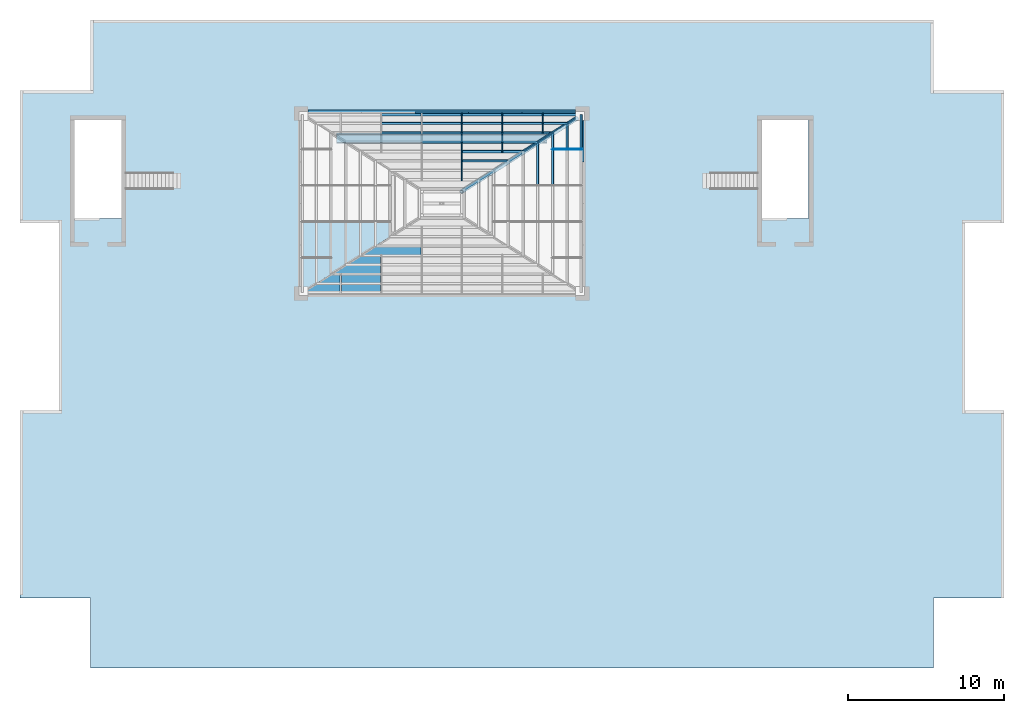
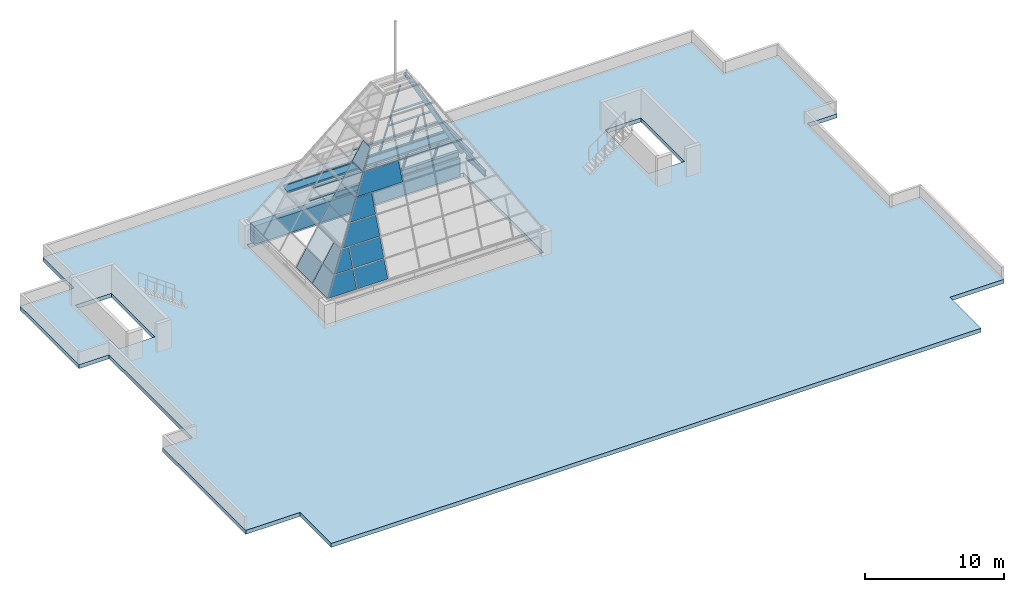
# One storey, part 4 of 8: 31 members, 15 plates, 5 beams, 1 slab, 4 elements without a shape of their own.
"""IFC4 building model written with IfcOpenShell, lengths in metres."""

import ifcopenshell
import ifcopenshell.guid

model = None  # the IFC model being written
_history = None  # IfcOwnerHistory: only IFC2X3 demands one
_inside = {}  # id of a spatial element -> (the spatial element, [elements in it])
_under = {}  # id of a project, library or spatial element -> (it, [spatial elements below it])
_declared = {}  # id of a project -> (the project, [libraries it declares])
_typed = {}  # id of a type object -> (the type object, [elements of that type])
_made_of = {}  # id of a material, layer set ... -> (it, [elements and type objects made of it])


def new_model(schema):
    """Start an empty IFC model of exactly this schema.

    Asked for "IFC4X3", IfcOpenShell would pick the latest addendum, in which some entities
    have other attributes; the version numbers below select the first issue.
    IFC2X3 requires an IfcOwnerHistory on every rooted entity: one is made here for all.
    """
    global model, _history
    if schema == "IFC4X3":
        model = ifcopenshell.file(schema_version=(4, 3, 0, 0))
    else:
        model = ifcopenshell.file(schema=schema)
    _inside.clear()
    _under.clear()
    _declared.clear()
    _typed.clear()
    _made_of.clear()
    _history = None
    if model.schema == "IFC2X3":
        org = make("IfcOrganization", Name="unknown")
        user = make(
            "IfcPersonAndOrganization",
            ThePerson=make("IfcPerson", FamilyName="unknown"),
            TheOrganization=org,
        )
        app = make(
            "IfcApplication",
            ApplicationDeveloper=org,
            Version="unknown",
            ApplicationFullName="unknown",
            ApplicationIdentifier="unknown",
        )
        _history = make(
            "IfcOwnerHistory",
            OwningUser=user,
            OwningApplication=app,
            ChangeAction="ADDED",
            CreationDate=0,
        )
    return model


def make(cls, **values):
    """One entity of the class cls with the attributes given. An attribute that is None is left unset."""
    return model.create_entity(
        cls, **{name: value for name, value in values.items() if value is not None}
    )


def rooted(cls, **values):
    """An entity with a GlobalId (a new one), such as an element, a storey or a relation."""
    return make(cls, GlobalId=ifcopenshell.guid.new(), OwnerHistory=_history, **values)


def si_unit(unit_type, name, prefix=None):
    """IfcSIUnit, for example si_unit("LENGTHUNIT", "METRE", prefix="MILLI")."""
    return make("IfcSIUnit", UnitType=unit_type, Prefix=prefix, Name=name)


def assignment(units):
    """IfcUnitAssignment: the units of a project."""
    return None if units is None else make("IfcUnitAssignment", Units=units)


def point(xyz):
    """IfcCartesianPoint."""
    return None if xyz is None else make("IfcCartesianPoint", Coordinates=xyz)


def direction(xyz):
    """IfcDirection."""
    return None if xyz is None else make("IfcDirection", DirectionRatios=xyz)


def frame(location, z_axis=None, x_axis=None):
    """IfcAxis2Placement3D, a coordinate frame: its origin and axes. An axis left out is left unset."""
    return make(
        "IfcAxis2Placement3D",
        Location=point(location),
        Axis=direction(z_axis),
        RefDirection=direction(x_axis),
    )


def frame_2d(location, x_axis=None):
    """IfcAxis2Placement2D, a coordinate frame in the plane: its origin and x axis."""
    return make(
        "IfcAxis2Placement2D", Location=point(location), RefDirection=direction(x_axis)
    )


def origin():
    """The frame at (0, 0, 0) with its axes left unset."""
    return frame((0.0, 0.0, 0.0))


def origin_2d():
    """The frame at (0, 0) in the plane with its x axis left unset."""
    return frame_2d((0.0, 0.0))


def place(relative_to, where):
    """IfcLocalPlacement: puts the frame where relative to a parent placement (None: the world)."""
    return make(
        "IfcLocalPlacement", PlacementRelTo=relative_to, RelativePlacement=where
    )


def context(
    kind, dimensions, precision=None, world=None, true_north=None, identifier=None
):
    """IfcGeometricRepresentationContext, for example the 3D "Model" context."""
    return make(
        "IfcGeometricRepresentationContext",
        ContextIdentifier=identifier,
        ContextType=kind,
        CoordinateSpaceDimension=dimensions,
        Precision=precision,
        WorldCoordinateSystem=world,
        TrueNorth=true_north,
    )


def subcontext(parent, identifier, kind, view, scale=None):
    """IfcGeometricRepresentationSubContext, for example "Body" below "Model"."""
    return make(
        "IfcGeometricRepresentationSubContext",
        ContextIdentifier=identifier,
        ContextType=kind,
        ParentContext=parent,
        TargetScale=scale,
        TargetView=view,
    )


def project(units=None, contexts=None):
    """IfcProject with its units and contexts."""
    return rooted(
        "IfcProject",
        Name="project",
        RepresentationContexts=contexts,
        UnitsInContext=assignment(units),
    )


def spatial(cls, under=None, at=None, **own):
    """A site, building, storey or space (cls), placed at a placement, below another one or the project."""
    s = rooted(cls, ObjectPlacement=at, **own)
    if under is not None:
        _under.setdefault(under.id(), (under, []))[1].append(s)
    return s


def polyline(points):
    """IfcPolyline through the points."""
    return make("IfcPolyline", Points=[point(p) for p in points])


def profile(cls, at=None, kind="AREA", **sizes):
    """A parametric profile (cls). Its sizes go by their IFC names, for example OverallWidth=200.0."""
    return make(cls, ProfileType=kind, Position=at, **sizes)


def rectangle(**sizes):
    """IfcRectangleProfileDef."""
    return profile("IfcRectangleProfileDef", **sizes)


def hollow_circle(**sizes):
    """IfcCircleHollowProfileDef."""
    return profile("IfcCircleHollowProfileDef", **sizes)


def i_section(**sizes):
    """IfcIShapeProfileDef."""
    return profile("IfcIShapeProfileDef", **sizes)


def outline(outer, holes=None, kind="AREA"):
    """IfcArbitraryClosedProfileDef: a profile drawn as a closed curve; with holes, ...WithVoids."""
    if holes is None:
        return make("IfcArbitraryClosedProfileDef", ProfileType=kind, OuterCurve=outer)
    return make(
        "IfcArbitraryProfileDefWithVoids",
        ProfileType=kind,
        OuterCurve=outer,
        InnerCurves=holes,
    )


def extrude(swept, where, along, depth):
    """IfcExtrudedAreaSolid: the profile swept, set in the frame where, extruded along a direction by depth."""
    return make(
        "IfcExtrudedAreaSolid",
        SweptArea=swept,
        Position=where,
        ExtrudedDirection=direction(along),
        Depth=depth,
    )


def shape(context_of_items, identifier, shape_type, items):
    """IfcShapeRepresentation: the items that make up one representation, for example the "Body"."""
    return make(
        "IfcShapeRepresentation",
        ContextOfItems=context_of_items,
        RepresentationIdentifier=identifier,
        RepresentationType=shape_type,
        Items=items,
    )


def material(Name=None, Category=None):
    """IfcMaterial."""
    return make("IfcMaterial", Name=Name, Category=Category)


def layer(
    of_material, thickness, ventilated=None, Name=None, Category=None, Priority=None
):
    """IfcMaterialLayer: one layer of a wall or slab, of a material (None: an air gap)."""
    return make(
        "IfcMaterialLayer",
        Material=of_material,
        LayerThickness=thickness,
        IsVentilated=ventilated,
        Name=Name,
        Category=Category,
        Priority=Priority,
    )


def layer_set(layers, Name=None):
    """IfcMaterialLayerSet."""
    return make("IfcMaterialLayerSet", MaterialLayers=layers, LayerSetName=Name)


def material_profile(
    of_material, cross_section, Name=None, Category=None, Priority=None
):
    """IfcMaterialProfile: a cross section and its material."""
    return make(
        "IfcMaterialProfile",
        Name=Name,
        Material=of_material,
        Profile=cross_section,
        Priority=Priority,
        Category=Category,
    )


def profile_set(profiles, Name=None, composite=None):
    """IfcMaterialProfileSet."""
    return make(
        "IfcMaterialProfileSet",
        Name=Name,
        MaterialProfiles=profiles,
        CompositeProfile=composite,
    )


def made_of(thing, what):
    """Note that an element or type object is made of a material, layer set ...; save() writes the relation."""
    if what is not None:
        _made_of.setdefault(what.id(), (what, []))[1].append(thing)
    return thing


def type_object(cls, material=None, **own):
    """A type object (cls), such as IfcWallType, which elements share."""
    return made_of(rooted(cls, **own), material)


def element(
    cls,
    number,
    at=None,
    inside=None,
    cuts=None,
    type_object=None,
    material=None,
    context=None,
    identifier="Body",
    shape_type=None,
    held_by="IfcProductDefinitionShape",
    body=None,
    shapes=None,
    **own,
):
    """One element of the class cls, such as IfcWall. Its Tag is "e" and its number.

    at: its placement. inside: the storey or other place that contains it. cuts: it is an
    opening in that element (IfcRelVoidsElement). A single representation is given by context,
    identifier, shape_type and body (its items); several are given by shapes. held_by: the class
    of the entity that holds the representations. save() writes the other relations.
    """
    e = rooted(cls, Tag="e%d" % number, ObjectPlacement=at, **own)
    if body is not None:
        shapes = [shape(context, identifier, shape_type, body)]
    if shapes is not None:
        e.Representation = make(held_by, Representations=shapes)
    if inside is not None:
        _inside.setdefault(inside.id(), (inside, []))[1].append(e)
    if cuts is not None:
        rooted(
            "IfcRelVoidsElement", RelatingBuildingElement=cuts, RelatedOpeningElement=e
        )
    if type_object is not None:
        _typed.setdefault(type_object.id(), (type_object, []))[1].append(e)
    return made_of(e, material)


def aggregate(whole, parts):
    """IfcRelAggregates: a whole, such as a stair, and the parts it consists of."""
    return rooted("IfcRelAggregates", RelatingObject=whole, RelatedObjects=parts)


def save(model, path):
    """Write the relations noted so far, then the file.

    IfcRelAggregates (storeys below a building ...), IfcRelContainedInSpatialStructure (elements
    in a storey), IfcRelDefinesByType, IfcRelAssociatesMaterial and IfcRelDeclares: one each for
    every whole, place, type object, material and project.
    """
    for whole, parts in _under.values():
        aggregate(whole, parts)
    for where, things in _inside.values():
        rooted(
            "IfcRelContainedInSpatialStructure",
            RelatedElements=things,
            RelatingStructure=where,
        )
    for kind, things in _typed.values():
        rooted("IfcRelDefinesByType", RelatedObjects=things, RelatingType=kind)
    for what, things in _made_of.values():
        rooted("IfcRelAssociatesMaterial", RelatedObjects=things, RelatingMaterial=what)
    for by, libraries in _declared.values():
        rooted("IfcRelDeclares", RelatingContext=by, RelatedDefinitions=libraries)
    model.write(path)


model = new_model("IFC4")

# Units and contexts
model_context = context("Model", 3, precision=1e-05, world=origin(), true_north=direction((0.0, 1.0)))
body_context = subcontext(model_context, "Body", "Model", "MODEL_VIEW")
ifc_project = project(units=[si_unit("LENGTHUNIT", "METRE"), si_unit("AREAUNIT", "SQUARE_METRE"), si_unit("VOLUMEUNIT", "CUBIC_METRE"), si_unit("PLANEANGLEUNIT", "RADIAN"), si_unit("MASSUNIT", "GRAM", prefix="KILO")], contexts=[model_context])

# Site, building, storey
site_placement = place(None, origin())
site = spatial("IfcSite", under=ifc_project, at=site_placement, CompositionType="ELEMENT")
building_placement = place(site_placement, origin())
building = spatial("IfcBuilding", under=site, at=building_placement, Name="Brigalow Station Residences", CompositionType="ELEMENT")
storey_placement = place(building_placement, frame((0.0, 0.0, 244.199951171875)))
storey = spatial("IfcBuildingStorey", under=building, at=storey_placement, Name="Roof", CompositionType="ELEMENT", Elevation=244.199951171875)

# Members
ifc_material_1 = material(Name="Steel Grade C350L0 to AS/NZS 1163", Category="steel")
ifc_material_profile_1 = material_profile(ifc_material_1, hollow_circle(Radius=0.136474609375, WallThickness=0.00927734375, at=origin_2d()), Name="273.1x9.3CHS")
ifc_profile_set_1 = profile_set([ifc_material_profile_1], Name="Steel Grade C350L0 to AS/NZS 1163")
member_type_1 = type_object("IfcMemberType", Name="CROWN FRAME HIP RIB 273.1x9.3CHS", PredefinedType="RAFTER", material=ifc_profile_set_1)
member_1_placement = place(storey_placement, frame((44.649658203125, 35.201416015625, 2.169677734375), z_axis=(-0.490116390262, -0.311610602771, 0.814054516748), x_axis=(0.670788330844, -0.731216181017, 0.123959315187)))
element("IfcMember", 1, at=member_1_placement, inside=storey, type_object=member_type_1, Name="CROWN FRAME HIP RIB NE", PredefinedType="RAFTER", context=body_context, shape_type="SweptSolid", body=[
    extrude(hollow_circle(Radius=0.136474609375, WallThickness=0.00927734375, at=origin_2d()), origin(), (0.0, 0.0, 1.0), 15.051513671875),
])
ifc_material_2 = material(Name="Steel Grade 300 to AS/NZS 3679.1", Category="steel")
ifc_material_profile_2 = material_profile(ifc_material_2, i_section(OverallWidth=0.22900390625, OverallDepth=0.611572265625, WebThickness=0.011962890625, FlangeThickness=0.01953125, FilletRadius=0.013916015625, at=origin_2d()), Name="610UB125")
ifc_profile_set_2 = profile_set([ifc_material_profile_2], Name="Steel Grade 300 to AS/NZS 3679.1")
member_type_2 = type_object("IfcMemberType", Name="CROWN FRAME HOOP 610UB125 SPAN TO 14 M", PredefinedType="PURLIN", material=ifc_profile_set_2)
member_2_placement = place(storey_placement, frame((42.73486328125, 33.92431640625, 5.032470703125), z_axis=(-1.0, 0.0, 0.0), x_axis=(0.0, -0.357491171676, 0.933916517775)))
element("IfcMember", 2, at=member_2_placement, inside=storey, type_object=member_type_2, Name="CROWN FRAME HOOP N2", PredefinedType="PURLIN", context=body_context, shape_type="SweptSolid", body=[
    extrude(i_section(OverallWidth=0.22900390625, OverallDepth=0.611572265625, WebThickness=0.011962890625, FlangeThickness=0.01953125, FilletRadius=0.013916015625, at=origin_2d()), origin(), (0.0, 0.0, 1.0), 13.4697265625),
])

# Beams
ifc_material_3 = material(Name="Steel Grade 300 to AS/NZS 3679.1", Category="steel")
ifc_material_profile_3 = material_profile(ifc_material_3, i_section(OverallWidth=0.19091796875, OverallDepth=0.46044921875, WebThickness=0.010009765625, FlangeThickness=0.01611328125, FilletRadius=0.011474609375, at=origin_2d()), Name="460UB82.1")
ifc_profile_set_3 = profile_set([ifc_material_profile_3], Name="Steel Grade 300 to AS/NZS 3679.1")
beam_type_1 = type_object("IfcBeamType", Name="CROWN FRAME RING BEAM 460UB82.1", PredefinedType="BEAM", material=ifc_profile_set_3)
beam_1_placement = place(storey_placement, frame((44.550048828125, 35.5, 1.830322265625), z_axis=(-1.0, 0.0, 0.0), x_axis=(0.0, -1.0, 0.0)))
element("IfcBeam", 3, at=beam_1_placement, inside=storey, type_object=beam_type_1, Name="CROWN FRAME RING BEAM N1", PredefinedType="BEAM", context=body_context, shape_type="SweptSolid", body=[
    extrude(i_section(OverallWidth=0.19091796875, OverallDepth=0.46044921875, WebThickness=0.010009765625, FlangeThickness=0.01611328125, FilletRadius=0.011474609375, at=origin_2d()), origin(), (0.0, 0.0, 1.0), 3.420166015625),
])
for number, where, z_axis, x_axis, name in (
    (4, (41.1298828125, 35.5, 1.830322265625), (-1.0, 0.0, 0.0), (0.0, -1.0, 0.0), "CROWN FRAME RING BEAM N2"),
    (5, (37.7099609375, 35.5, 1.830322265625), (-1.0, 0.0, 0.0), (0.0, -1.0, 0.0), "CROWN FRAME RING BEAM N3"),
):
    element("IfcBeam", number, at=place(storey_placement, frame(where, z_axis=z_axis, x_axis=x_axis)), inside=storey, type_object=beam_type_1, Name=name, PredefinedType="BEAM", context=body_context, shape_type="SweptSolid", body=[
        extrude(i_section(OverallWidth=0.19091796875, OverallDepth=0.46044921875, WebThickness=0.010009765625, FlangeThickness=0.01611328125, FilletRadius=0.011474609375, at=origin_2d()), origin(), (0.0, 0.0, 1.0), 3.419921875),
    ])
beam_2_placement = place(storey_placement, frame((45.0, 32.39990234375, 1.830322265625), z_axis=(0.0, 1.0, 0.0), x_axis=(-1.0, 0.0, 0.0)))
element("IfcBeam", 6, at=beam_2_placement, inside=storey, type_object=beam_type_1, Name="CROWN FRAME RING BEAM E4", PredefinedType="BEAM", context=body_context, shape_type="SweptSolid", body=[
    extrude(i_section(OverallWidth=0.19091796875, OverallDepth=0.46044921875, WebThickness=0.010009765625, FlangeThickness=0.01611328125, FilletRadius=0.011474609375, at=origin_2d()), origin(), (0.0, 0.0, 1.0), 2.650146484375),
])

# Curtain wall, members
ifc_material_4 = material(Name="Aluminium", Category="aluminium")
ifc_layer_1 = layer(ifc_material_4, 0.14990234375)
ifc_layer_set_1 = layer_set([ifc_layer_1], Name="CROWN CURTAIN WALL")
curtain_wall_type = type_object("IfcCurtainWallType", Name="CROWN CURTAIN WALL", PredefinedType="NOTDEFINED", material=ifc_layer_set_1)
curtain_wall_1_placement = place(storey_placement, origin())
curtain_wall_1 = element("IfcCurtainWall", 7, at=curtain_wall_1_placement, inside=storey, type_object=curtain_wall_type, Name="Roof/cw/crown-E", PredefinedType="NOTDEFINED")
ifc_material_5 = material(Name="Aluminium", Category="aluminium")
ifc_material_profile_4 = material_profile(ifc_material_5, rectangle(XDim=0.050048828125, YDim=0.14990234375, at=origin_2d()), Name="CROWN MULLION 50x150")
ifc_profile_set_4 = profile_set([ifc_material_profile_4], Name="Aluminium")
member_type_3 = type_object("IfcMemberType", Name="CROWN MULLION 50x150", PredefinedType="MULLION", material=ifc_profile_set_4)
member_3_placement = place(storey_placement, frame((44.93505859375, 35.491455078125, 2.10595703125), z_axis=(-0.490142364548, -0.311596240668, 0.814044375496), x_axis=(0.160707203509, -0.950214597997, -0.266955824986)))
member_3 = element("IfcMember", 8, at=member_3_placement, type_object=member_type_3, Name="Roof/cw/crown-E/HR1", PredefinedType="MULLION", context=body_context, shape_type="SweptSolid", body=[
    extrude(rectangle(XDim=0.050048828125, YDim=0.14990234375, at=origin_2d()), origin(), (0.0, 0.0, 1.0), 7.5986328125),
])
member_4_placement = place(storey_placement, frame((44.939208984375, 33.22998046875, 2.09912109375), z_axis=(-0.515833026971, 0.0, 0.856689143322), x_axis=(0.0, -1.0, 0.0)))
member_4 = element("IfcMember", 9, at=member_4_placement, type_object=member_type_3, Name="Roof/cw/crown-E/M03", PredefinedType="MULLION", context=body_context, shape_type="SweptSolid", body=[
    extrude(rectangle(XDim=0.050048828125, YDim=0.14990234375, at=origin_2d()), origin(), (0.0, 0.0, 1.0), 3.569091796875),
])

curtain_wall_2_placement = place(storey_placement, origin())
curtain_wall_2 = element("IfcCurtainWall", 10, at=curtain_wall_2_placement, inside=storey, type_object=curtain_wall_type, Name="Roof/cw/crown-N", PredefinedType="NOTDEFINED")
ifc_material_6 = material(Name="Aluminium", Category="aluminium")
ifc_material_profile_5 = material_profile(ifc_material_6, rectangle(XDim=0.06494140625, YDim=0.14990234375, at=origin_2d()), Name="CROWN MULLION 65x150")
ifc_profile_set_5 = profile_set([ifc_material_profile_5], Name="Aluminium")
member_type_4 = type_object("IfcMemberType", Name="CROWN MULLION 65x150", PredefinedType="MULLION", material=ifc_profile_set_5)
member_5_placement = place(storey_placement, frame((44.971435546875, 35.45361328125, 2.10205078125), z_axis=(-0.490131750728, -0.311599236636, 0.814049619284), x_axis=(0.871648361899, -0.175225678842, 0.45773911202)))
member_5 = element("IfcMember", 11, at=member_5_placement, type_object=member_type_4, Name="Roof/cw/crown-N/HL", PredefinedType="MULLION", context=body_context, shape_type="SweptSolid", body=[
    extrude(rectangle(XDim=0.06494140625, YDim=0.14990234375, at=origin_2d()), origin(), (0.0, 0.0, 1.0), 15.31982421875),
])
member_6_placement = place(storey_placement, frame((42.46435546875, 35.45947265625, 2.087158203125), z_axis=(0.0, -0.357481124807, 0.933920363525), x_axis=(1.0, 0.0, 0.0)))
member_6 = element("IfcMember", 12, at=member_6_placement, type_object=member_type_4, Name="Roof/cw/crown-N/M00", PredefinedType="MULLION", context=body_context, shape_type="SweptSolid", body=[
    extrude(rectangle(XDim=0.06494140625, YDim=0.14990234375, at=origin_2d()), origin(), (0.0, 0.0, 1.0), 3.29931640625),
])
member_7_placement = place(storey_placement, frame((39.878662109375, 35.45947265625, 2.087158203125), z_axis=(0.0, -0.357474392357, 0.933922940509), x_axis=(1.0, 0.0, 0.0)))
member_7 = element("IfcMember", 13, at=member_7_placement, type_object=member_type_4, Name="Roof/cw/crown-N/M01", PredefinedType="MULLION", context=body_context, shape_type="SweptSolid", body=[
    extrude(rectangle(XDim=0.06494140625, YDim=0.14990234375, at=origin_2d()), origin(), (0.0, 0.0, 1.0), 6.656005859375),
])
member_8_placement = place(storey_placement, frame((37.29296875, 35.45947265625, 2.087158203125), z_axis=(0.0, -0.357484135166, 0.93391921123), x_axis=(1.0, 0.0, 0.0)))
member_8 = element("IfcMember", 14, at=member_8_placement, type_object=member_type_4, Name="Roof/cw/crown-N/M02", PredefinedType="MULLION", context=body_context, shape_type="SweptSolid", body=[
    extrude(rectangle(XDim=0.06494140625, YDim=0.14990234375, at=origin_2d()), origin(), (0.0, 0.0, 1.0), 11.691162109375),
])

# Member
ifc_material_7 = material(Name="Aluminium", Category="aluminium")
ifc_material_profile_6 = material_profile(ifc_material_7, rectangle(XDim=0.06494140625, YDim=0.14990234375, at=origin_2d()), Name="CROWN TRANSOM 65x150")
ifc_profile_set_6 = profile_set([ifc_material_profile_6], Name="Aluminium")
member_type_5 = type_object("IfcMemberType", Name="CROWN TRANSOM 65x150", PredefinedType="USERDEFINED", material=ifc_profile_set_6)
member_9_placement = place(storey_placement, frame((44.92236328125, 33.2548828125, 2.126953125), z_axis=(0.0, 1.0, 0.0), x_axis=(-0.515812812605, 0.0, 0.85670131455)))
member_9 = element("IfcMember", 15, at=member_9_placement, type_object=member_type_5, Name="Roof/cw/crown-E/T04-00", ObjectType="TRANSOM", PredefinedType="USERDEFINED", context=body_context, shape_type="SweptSolid", body=[
    extrude(rectangle(XDim=0.06494140625, YDim=0.14990234375, at=origin_2d()), origin(), (0.0, 0.0, 1.0), 2.2021484375),
])

member_10_placement = place(storey_placement, frame((44.0419921875, 33.2548828125, 3.58935546875), z_axis=(0.0, 1.0, 0.0), x_axis=(-0.515812812605, 0.0, 0.85670131455)))
member_10 = element("IfcMember", 16, at=member_10_placement, type_object=member_type_5, Name="Roof/cw/crown-E/T04-01", ObjectType="TRANSOM", PredefinedType="USERDEFINED", context=body_context, shape_type="SweptSolid", body=[
    extrude(rectangle(XDim=0.06494140625, YDim=0.14990234375, at=origin_2d()), origin(), (0.0, 0.0, 1.0), 1.642578125),
])

member_11_placement = place(storey_placement, frame((43.09814453125, 30.93505859375, 5.15673828125), z_axis=(0.0, 1.0, 0.0), x_axis=(-0.515812812605, 0.0, 0.85670131455)))
member_11 = element("IfcMember", 17, at=member_11_placement, type_object=member_type_5, Name="Roof/cw/crown-E/T02-02", ObjectType="TRANSOM", PredefinedType="USERDEFINED", context=body_context, shape_type="SweptSolid", body=[
    extrude(rectangle(XDim=0.06494140625, YDim=0.14990234375, at=origin_2d()), origin(), (0.0, 0.0, 1.0), 3.3623046875),
])

member_12_placement = place(storey_placement, frame((42.154541015625, 30.93505859375, 6.72412109375), z_axis=(0.0, 1.0, 0.0), x_axis=(-0.515812812605, 0.0, 0.85670131455)))
member_12 = element("IfcMember", 18, at=member_12_placement, type_object=member_type_5, Name="Roof/cw/crown-E/T02-03", ObjectType="TRANSOM", PredefinedType="USERDEFINED", context=body_context, shape_type="SweptSolid", body=[
    extrude(rectangle(XDim=0.06494140625, YDim=0.14990234375, at=origin_2d()), origin(), (0.0, 0.0, 1.0), 2.762451171875),
])

aggregate(curtain_wall_1, [member_3, member_4, member_9, member_10, member_11, member_12])

member_13_placement = place(storey_placement, frame((44.9248046875, 35.44775390625, 2.11767578125), z_axis=(-1.0, 0.0, 0.0), x_axis=(0.0, -0.357491171676, 0.933916517775)))
member_13 = element("IfcMember", 19, at=member_13_placement, type_object=member_type_5, Name="Roof/cw/crown-N/T00-00", ObjectType="TRANSOM", PredefinedType="USERDEFINED", context=body_context, shape_type="SweptSolid", body=[
    extrude(rectangle(XDim=0.06494140625, YDim=0.14990234375, at=origin_2d()), origin(), (0.0, 0.0, 1.0), 2.427978515625),
])

member_14_placement = place(storey_placement, frame((42.431884765625, 35.44775390625, 2.11767578125), z_axis=(-1.0, 0.0, 0.0), x_axis=(0.0, -0.357491171676, 0.933916517775)))
member_14 = element("IfcMember", 20, at=member_14_placement, type_object=member_type_5, Name="Roof/cw/crown-N/T01-00", ObjectType="TRANSOM", PredefinedType="USERDEFINED", context=body_context, shape_type="SweptSolid", body=[
    extrude(rectangle(XDim=0.06494140625, YDim=0.14990234375, at=origin_2d()), origin(), (0.0, 0.0, 1.0), 2.520751953125),
])

member_15_placement = place(storey_placement, frame((39.84619140625, 35.44775390625, 2.11767578125), z_axis=(-1.0, 0.0, 0.0), x_axis=(0.0, -0.357491171676, 0.933916517775)))
member_15 = element("IfcMember", 21, at=member_15_placement, type_object=member_type_5, Name="Roof/cw/crown-N/T02-00", ObjectType="TRANSOM", PredefinedType="USERDEFINED", context=body_context, shape_type="SweptSolid", body=[
    extrude(rectangle(XDim=0.06494140625, YDim=0.14990234375, at=origin_2d()), origin(), (0.0, 0.0, 1.0), 2.520751953125),
])

member_16_placement = place(storey_placement, frame((37.260498046875, 35.44775390625, 2.11767578125), z_axis=(-1.0, 0.0, 0.0), x_axis=(0.0, -0.357491171676, 0.933916517775)))
member_16 = element("IfcMember", 22, at=member_16_placement, type_object=member_type_5, Name="Roof/cw/crown-N/T03-00", ObjectType="TRANSOM", PredefinedType="USERDEFINED", context=body_context, shape_type="SweptSolid", body=[
    extrude(rectangle(XDim=0.06494140625, YDim=0.14990234375, at=origin_2d()), origin(), (0.0, 0.0, 1.0), 2.52099609375),
])

member_17_placement = place(storey_placement, frame((34.674560546875, 35.44775390625, 2.11767578125), z_axis=(-1.0, 0.0, 0.0), x_axis=(0.0, -0.357491171676, 0.933916517775)))
member_17 = element("IfcMember", 23, at=member_17_placement, type_object=member_type_5, Name="Roof/cw/crown-N/T04-00", ObjectType="TRANSOM", PredefinedType="USERDEFINED", context=body_context, shape_type="SweptSolid", body=[
    extrude(rectangle(XDim=0.06494140625, YDim=0.14990234375, at=origin_2d()), origin(), (0.0, 0.0, 1.0), 2.520751953125),
])

member_18_placement = place(storey_placement, frame((44.03173828125, 34.8798828125, 3.60107421875), z_axis=(-1.0, 0.0, 0.0), x_axis=(0.0, -0.357491171676, 0.933916517775)))
member_18 = element("IfcMember", 24, at=member_18_placement, type_object=member_type_5, Name="Roof/cw/crown-N/T00-01", ObjectType="TRANSOM", PredefinedType="USERDEFINED", context=body_context, shape_type="SweptSolid", body=[
    extrude(rectangle(XDim=0.06494140625, YDim=0.14990234375, at=origin_2d()), origin(), (0.0, 0.0, 1.0), 1.534912109375),
])

member_19_placement = place(storey_placement, frame((42.431884765625, 34.8798828125, 3.60107421875), z_axis=(-1.0, 0.0, 0.0), x_axis=(0.0, -0.357491171676, 0.933916517775)))
member_19 = element("IfcMember", 25, at=member_19_placement, type_object=member_type_5, Name="Roof/cw/crown-N/T01-01", ObjectType="TRANSOM", PredefinedType="USERDEFINED", context=body_context, shape_type="SweptSolid", body=[
    extrude(rectangle(XDim=0.06494140625, YDim=0.14990234375, at=origin_2d()), origin(), (0.0, 0.0, 1.0), 2.520751953125),
])

member_20_placement = place(storey_placement, frame((39.84619140625, 34.8798828125, 3.60107421875), z_axis=(-1.0, 0.0, 0.0), x_axis=(0.0, -0.357491171676, 0.933916517775)))
member_20 = element("IfcMember", 26, at=member_20_placement, type_object=member_type_5, Name="Roof/cw/crown-N/T02-01", ObjectType="TRANSOM", PredefinedType="USERDEFINED", context=body_context, shape_type="SweptSolid", body=[
    extrude(rectangle(XDim=0.06494140625, YDim=0.14990234375, at=origin_2d()), origin(), (0.0, 0.0, 1.0), 2.520751953125),
])

member_21_placement = place(storey_placement, frame((37.260498046875, 34.8798828125, 3.60107421875), z_axis=(-1.0, 0.0, 0.0), x_axis=(0.0, -0.357491171676, 0.933916517775)))
member_21 = element("IfcMember", 27, at=member_21_placement, type_object=member_type_5, Name="Roof/cw/crown-N/T03-01", ObjectType="TRANSOM", PredefinedType="USERDEFINED", context=body_context, shape_type="SweptSolid", body=[
    extrude(rectangle(XDim=0.06494140625, YDim=0.14990234375, at=origin_2d()), origin(), (0.0, 0.0, 1.0), 2.52099609375),
])

member_22_placement = place(storey_placement, frame((34.674560546875, 34.8798828125, 3.60107421875), z_axis=(-1.0, 0.0, 0.0), x_axis=(0.0, -0.357491171676, 0.933916517775)))
member_22 = element("IfcMember", 28, at=member_22_placement, type_object=member_type_5, Name="Roof/cw/crown-N/T04-01", ObjectType="TRANSOM", PredefinedType="USERDEFINED", context=body_context, shape_type="SweptSolid", body=[
    extrude(rectangle(XDim=0.06494140625, YDim=0.14990234375, at=origin_2d()), origin(), (0.0, 0.0, 1.0), 2.520751953125),
])

member_23_placement = place(storey_placement, frame((43.087890625, 34.280029296875, 5.16845703125), z_axis=(-1.0, 0.0, 0.0), x_axis=(0.0, -0.357491171676, 0.933916517775)))
member_23 = element("IfcMember", 29, at=member_23_placement, type_object=member_type_5, Name="Roof/cw/crown-N/T00-02", ObjectType="TRANSOM", PredefinedType="USERDEFINED", context=body_context, shape_type="SweptSolid", body=[
    extrude(rectangle(XDim=0.06494140625, YDim=0.14990234375, at=origin_2d()), origin(), (0.0, 0.0, 1.0), 3.1767578125),
])

member_24_placement = place(storey_placement, frame((39.84619140625, 34.280029296875, 5.16845703125), z_axis=(-1.0, 0.0, 0.0), x_axis=(0.0, -0.357491171676, 0.933916517775)))
member_24 = element("IfcMember", 30, at=member_24_placement, type_object=member_type_5, Name="Roof/cw/crown-N/T01-02", ObjectType="TRANSOM", PredefinedType="USERDEFINED", context=body_context, shape_type="SweptSolid", body=[
    extrude(rectangle(XDim=0.06494140625, YDim=0.14990234375, at=origin_2d()), origin(), (0.0, 0.0, 1.0), 2.520751953125),
])

member_25_placement = place(storey_placement, frame((37.260498046875, 34.280029296875, 5.16845703125), z_axis=(-1.0, 0.0, 0.0), x_axis=(0.0, -0.357491171676, 0.933916517775)))
member_25 = element("IfcMember", 31, at=member_25_placement, type_object=member_type_5, Name="Roof/cw/crown-N/T02-02", ObjectType="TRANSOM", PredefinedType="USERDEFINED", context=body_context, shape_type="SweptSolid", body=[
    extrude(rectangle(XDim=0.06494140625, YDim=0.14990234375, at=origin_2d()), origin(), (0.0, 0.0, 1.0), 2.52099609375),
])

member_26_placement = place(storey_placement, frame((34.674560546875, 34.280029296875, 5.16845703125), z_axis=(-1.0, 0.0, 0.0), x_axis=(0.0, -0.357491171676, 0.933916517775)))
member_26 = element("IfcMember", 32, at=member_26_placement, type_object=member_type_5, Name="Roof/cw/crown-N/T03-02", ObjectType="TRANSOM", PredefinedType="USERDEFINED", context=body_context, shape_type="SweptSolid", body=[
    extrude(rectangle(XDim=0.06494140625, YDim=0.14990234375, at=origin_2d()), origin(), (0.0, 0.0, 1.0), 2.520751953125),
])

member_27_placement = place(storey_placement, frame((42.144287109375, 33.679931640625, 6.73583984375), z_axis=(-1.0, 0.0, 0.0), x_axis=(0.0, -0.357491171676, 0.933916517775)))
member_27 = element("IfcMember", 33, at=member_27_placement, type_object=member_type_5, Name="Roof/cw/crown-N/T00-03", ObjectType="TRANSOM", PredefinedType="USERDEFINED", context=body_context, shape_type="SweptSolid", body=[
    extrude(rectangle(XDim=0.06494140625, YDim=0.14990234375, at=origin_2d()), origin(), (0.0, 0.0, 1.0), 2.233154296875),
])

member_28_placement = place(storey_placement, frame((39.84619140625, 33.679931640625, 6.73583984375), z_axis=(-1.0, 0.0, 0.0), x_axis=(0.0, -0.357491171676, 0.933916517775)))
member_28 = element("IfcMember", 34, at=member_28_placement, type_object=member_type_5, Name="Roof/cw/crown-N/T01-03", ObjectType="TRANSOM", PredefinedType="USERDEFINED", context=body_context, shape_type="SweptSolid", body=[
    extrude(rectangle(XDim=0.06494140625, YDim=0.14990234375, at=origin_2d()), origin(), (0.0, 0.0, 1.0), 2.520751953125),
])

member_29_placement = place(storey_placement, frame((37.260498046875, 33.679931640625, 6.73583984375), z_axis=(-1.0, 0.0, 0.0), x_axis=(0.0, -0.357491171676, 0.933916517775)))
member_29 = element("IfcMember", 35, at=member_29_placement, type_object=member_type_5, Name="Roof/cw/crown-N/T02-03", ObjectType="TRANSOM", PredefinedType="USERDEFINED", context=body_context, shape_type="SweptSolid", body=[
    extrude(rectangle(XDim=0.06494140625, YDim=0.14990234375, at=origin_2d()), origin(), (0.0, 0.0, 1.0), 2.52099609375),
])

member_30_placement = place(storey_placement, frame((41.200439453125, 33.080078125, 8.303466796875), z_axis=(-1.0, 0.0, 0.0), x_axis=(0.0, -0.357491171676, 0.933916517775)))
member_30 = element("IfcMember", 36, at=member_30_placement, type_object=member_type_5, Name="Roof/cw/crown-N/T00-04", ObjectType="TRANSOM", PredefinedType="USERDEFINED", context=body_context, shape_type="SweptSolid", body=[
    extrude(rectangle(XDim=0.06494140625, YDim=0.14990234375, at=origin_2d()), origin(), (0.0, 0.0, 1.0), 3.875),
])

member_31_placement = place(storey_placement, frame((40.256591796875, 32.47998046875, 9.870849609375), z_axis=(-1.0, 0.0, 0.0), x_axis=(0.0, -0.357491171676, 0.933916517775)))
member_31 = element("IfcMember", 37, at=member_31_placement, type_object=member_type_5, Name="Roof/cw/crown-N/T00-05", ObjectType="TRANSOM", PredefinedType="USERDEFINED", context=body_context, shape_type="SweptSolid", body=[
    extrude(rectangle(XDim=0.06494140625, YDim=0.14990234375, at=origin_2d()), origin(), (0.0, 0.0, 1.0), 2.93115234375),
])

aggregate(curtain_wall_2, [member_5, member_6, member_7, member_8, member_13, member_14, member_15, member_16, member_17, member_18, member_19, member_20, member_21, member_22, member_23, member_24, member_25, member_26, member_27, member_28, member_29, member_30, member_31])

# Beam
ifc_material_8 = material(Name="Concrete C65", Category="concrete")
ifc_material_profile_7 = material_profile(ifc_material_8, rectangle(XDim=0.5, YDim=1.60009765625, at=origin_2d()), Name="RC500x1600")
ifc_profile_set_7 = profile_set([ifc_material_profile_7], Name="Concrete C65")
beam_type_2 = type_object("IfcBeamType", Name="ROOF ATRIUM UPSTAND GIRDER 500x1600 C65 SPAN TO 18 M", PredefinedType="BEAM", material=ifc_profile_set_7)
beam_3_placement = place(storey_placement, frame((44.550048828125, 35.5, 0.800048828125), z_axis=(-1.0, 0.0, 0.0), x_axis=(0.0, -1.0, 0.0)))
element("IfcBeam", 38, at=beam_3_placement, inside=storey, type_object=beam_type_2, Name="ROOF ATRIUM UPSTAND GIRDER N", PredefinedType="BEAM", context=body_context, shape_type="SweptSolid", body=[
    extrude(rectangle(XDim=0.5, YDim=1.60009765625, at=origin_2d()), origin(), (0.0, 0.0, 1.0), 17.10009765625),
])

# Curtain wall, plates
curtain_wall_3_placement = place(storey_placement, origin())
curtain_wall_3 = element("IfcCurtainWall", 39, at=curtain_wall_3_placement, inside=storey, type_object=curtain_wall_type, Name="Roof/cw/crown-S", PredefinedType="NOTDEFINED")
ifc_material_9 = material(Name="Laminated low-emissivity glass, 24 mm", Category="glass")
ifc_layer_2 = layer(ifc_material_9, 0.02392578125)
ifc_layer_set_2 = layer_set([ifc_layer_2], Name="CROWN GLASS PANEL 24")
plate_type = type_object("IfcPlateType", Name="CROWN GLASS PANEL 24", PredefinedType="CURTAIN_PANEL", material=ifc_layer_set_2)
plate_1_placement = place(storey_placement, frame((27.093505859375, 24.04052734375, 2.156982421875), z_axis=(0.0, -0.933889775991, 0.357561024581), x_axis=(1.0, 0.0, 0.0)))
plate_1 = element("IfcPlate", 40, at=plate_1_placement, type_object=plate_type, Name="Roof/cw/crown-S/P00-00", PredefinedType="CURTAIN_PANEL", context=body_context, shape_type="SweptSolid", body=[
    extrude(outline(polyline([(0.0, 0.0), (2.40966796875, 0.0), (2.40966796875, 1.5233140553076103), (0.8564453125, 1.5233140553076103), (0.0, 0.0)])), origin(), (0.0, 0.0, -1.0), 0.02392578125),
])
plate_2_placement = place(storey_placement, frame((29.568115234375, 24.04052734375, 2.156982421875), z_axis=(0.0, -0.933889775991, 0.357561024581), x_axis=(1.0, 0.0, 0.0)))
plate_2 = element("IfcPlate", 41, at=plate_2_placement, type_object=plate_type, Name="Roof/cw/crown-S/P01-00", PredefinedType="CURTAIN_PANEL", context=body_context, shape_type="SweptSolid", body=[
    extrude(outline(polyline([(0.0, 0.0), (2.520751953125, 0.0), (2.520751953125, 1.52331405530761), (0.0, 1.52331405530761), (0.0, 0.0)])), origin(), (0.0, 0.0, -1.0), 0.02392578125),
])
plate_3_placement = place(storey_placement, frame((27.986572265625, 24.6083984375, 3.640380859375), z_axis=(0.0, -0.933944898525, 0.357417020466), x_axis=(1.0, 0.0, 0.0)))
plate_3 = element("IfcPlate", 42, at=plate_3_placement, type_object=plate_type, Name="Roof/cw/crown-S/P00-01", PredefinedType="CURTAIN_PANEL", context=body_context, shape_type="SweptSolid", body=[
    extrude(outline(polyline([(0.0, 0.0), (1.5166015625, 0.0), (1.5166015625, 1.6134098916108637), (0.9072265625, 1.6134098916108637), (0.0, 0.0)])), origin(), (0.0, 0.0, -1.0), 0.02392578125),
])
plate_4_placement = place(storey_placement, frame((29.568115234375, 24.6083984375, 3.640380859375), z_axis=(0.0, -0.933944898525, 0.357417020466), x_axis=(1.0, 0.0, 0.0)))
plate_4 = element("IfcPlate", 43, at=plate_4_placement, type_object=plate_type, Name="Roof/cw/crown-S/P01-01", PredefinedType="CURTAIN_PANEL", context=body_context, shape_type="SweptSolid", body=[
    extrude(outline(polyline([(0.0, 0.0), (2.520751953125, 0.0), (2.520751953125, 1.6134098916108637), (0.0, 1.6134098916108637), (0.0, 0.0)])), origin(), (0.0, 0.0, -1.0), 0.02392578125),
])
plate_5_placement = place(storey_placement, frame((28.930419921875, 25.208251953125, 5.207763671875), z_axis=(0.0, -0.933894380251, 0.35754899879), x_axis=(1.0, 0.0, 0.0)))
plate_5 = element("IfcPlate", 44, at=plate_5_placement, type_object=plate_type, Name="Roof/cw/crown-S/P00-02", PredefinedType="CURTAIN_PANEL", context=body_context, shape_type="SweptSolid", body=[
    extrude(outline(polyline([(0.0, 0.0), (3.158447265625, 0.0), (3.158447265625, 1.6134971677366967), (0.906982421875, 1.6134971677366967), (0.0, 0.0)])), origin(), (0.0, 0.0, -1.0), 0.02392578125),
])
plate_6_placement = place(storey_placement, frame((29.8740234375, 25.808349609375, 6.775146484375), z_axis=(0.0, -0.933944898525, 0.357417020466), x_axis=(1.0, 0.0, 0.0)))
plate_6 = element("IfcPlate", 45, at=plate_6_placement, type_object=plate_type, Name="Roof/cw/crown-S/P00-03", PredefinedType="CURTAIN_PANEL", context=body_context, shape_type="SweptSolid", body=[
    extrude(outline(polyline([(0.0, 0.0), (2.21484375, 0.0), (2.21484375, 1.6134098916108635), (0.9072265625, 1.6134098916108635), (0.0, 0.0)])), origin(), (0.0, 0.0, -1.0), 0.02392578125),
])
plate_7_placement = place(storey_placement, frame((30.81787109375, 26.408203125, 8.3427734375), z_axis=(0.0, -0.933875032297, 0.357599530274), x_axis=(1.0, 0.0, 0.0)))
plate_7 = element("IfcPlate", 46, at=plate_7_placement, type_object=plate_type, Name="Roof/cw/crown-S/P00-04", PredefinedType="CURTAIN_PANEL", context=body_context, shape_type="SweptSolid", body=[
    extrude(outline(polyline([(0.0, 0.0), (3.856689453125, 0.0), (3.856689453125, 1.6132691685406622), (0.9072265625, 1.6132691685406622), (0.0, 0.0)])), origin(), (0.0, 0.0, -1.0), 0.02392578125),
])
aggregate(curtain_wall_3, [plate_1, plate_2, plate_3, plate_4, plate_5, plate_6, plate_7])

curtain_wall_4_placement = place(storey_placement, origin())
curtain_wall_4 = element("IfcCurtainWall", 47, at=curtain_wall_4_placement, inside=storey, type_object=curtain_wall_type, Name="Roof/cw/crown-W", PredefinedType="NOTDEFINED")
plate_8_placement = place(storey_placement, frame((27.072998046875, 28.56494140625, 2.167724609375), z_axis=(-0.856678360594, 0.0, 0.515850934369), x_axis=(0.0, -1.0, 0.0)))
plate_8 = element("IfcPlate", 48, at=plate_8_placement, type_object=plate_type, Name="Roof/cw/crown-W/P03-00", PredefinedType="CURTAIN_PANEL", context=body_context, shape_type="SweptSolid", body=[
    extrude(outline(polyline([(0.0, 0.0), (2.27001953125, 0.0), (2.27001953125, 1.641799542653841), (0.0, 1.641799542653841), (0.0, 0.0)])), origin(), (0.0, 0.0, -1.0), 0.02392578125),
])
plate_9_placement = place(storey_placement, frame((27.072998046875, 26.2451171875, 2.167724609375), z_axis=(-0.856678360594, 0.0, 0.515850934369), x_axis=(0.0, -1.0, 0.0)))
plate_9 = element("IfcPlate", 49, at=plate_9_placement, type_object=plate_type, Name="Roof/cw/crown-W/P04-00", PredefinedType="CURTAIN_PANEL", context=body_context, shape_type="SweptSolid", body=[
    extrude(outline(polyline([(0.0, 0.0), (2.19140625, 0.0), (1.653076171875, 1.641799542653841), (0.0, 1.641799542653841), (0.0, 0.0)])), origin(), (0.0, 0.0, -1.0), 0.02392578125),
])
plate_10_placement = place(storey_placement, frame((27.953369140625, 28.56494140625, 3.6298828125), z_axis=(-0.856747426204, 0.0, 0.515736219101), x_axis=(0.0, -1.0, 0.0)))
plate_10 = element("IfcPlate", 50, at=plate_10_placement, type_object=plate_type, Name="Roof/cw/crown-W/P03-01", PredefinedType="CURTAIN_PANEL", context=body_context, shape_type="SweptSolid", body=[
    extrude(outline(polyline([(0.0, 0.0), (2.27001953125, 0.0), (2.27001953125, 1.7647708582252735), (0.0, 1.7647708582252735), (0.0, 0.0)])), origin(), (0.0, 0.0, -1.0), 0.02392578125),
])
plate_11_placement = place(storey_placement, frame((27.953369140625, 26.2451171875, 3.6298828125), z_axis=(-0.856747426204, 0.0, 0.515736219101), x_axis=(0.0, -1.0, 0.0)))
plate_11 = element("IfcPlate", 51, at=plate_11_placement, type_object=plate_type, Name="Roof/cw/crown-W/P04-01", PredefinedType="CURTAIN_PANEL", context=body_context, shape_type="SweptSolid", body=[
    extrude(outline(polyline([(0.0, 0.0), (1.6318359375, 0.0), (1.05322265625, 1.7647708582252735), (0.0, 1.7647708582252735), (0.0, 0.0)])), origin(), (0.0, 0.0, -1.0), 0.02392578125),
])
plate_12_placement = place(storey_placement, frame((28.897216796875, 28.56494140625, 5.197509765625), z_axis=(-0.856710623121, 0.0, 0.515797351905), x_axis=(0.0, -1.0, 0.0)))
plate_12 = element("IfcPlate", 52, at=plate_12_placement, type_object=plate_type, Name="Roof/cw/crown-W/P02-02", PredefinedType="CURTAIN_PANEL", context=body_context, shape_type="SweptSolid", body=[
    extrude(outline(polyline([(0.0, 0.0), (3.3515625, 0.0), (2.77294921875, 1.7645616958654702), (0.0, 1.7645616958654702), (0.0, 0.0)])), origin(), (0.0, 0.0, -1.0), 0.02392578125),
])
plate_13_placement = place(storey_placement, frame((29.8408203125, 28.56494140625, 6.764892578125), z_axis=(-0.856649482729, 0.0, 0.515898889066), x_axis=(0.0, -1.0, 0.0)))
plate_13 = element("IfcPlate", 53, at=plate_13_placement, type_object=plate_type, Name="Roof/cw/crown-W/P02-03", PredefinedType="CURTAIN_PANEL", context=body_context, shape_type="SweptSolid", body=[
    extrude(outline(polyline([(0.0, 0.0), (2.751708984375, 0.0), (2.1728515625, 1.7646876353484533), (0.0, 1.7646876353484533), (0.0, 0.0)])), origin(), (0.0, 0.0, -1.0), 0.02392578125),
])
plate_14_placement = place(storey_placement, frame((30.78466796875, 28.56494140625, 8.332275390625), z_axis=(-0.856710623121, 0.0, 0.515797351905), x_axis=(0.0, -1.0, 0.0)))
plate_14 = element("IfcPlate", 54, at=plate_14_placement, type_object=plate_type, Name="Roof/cw/crown-W/P02-04", PredefinedType="CURTAIN_PANEL", context=body_context, shape_type="SweptSolid", body=[
    extrude(outline(polyline([(0.0, 0.0), (2.151611328125, 0.0), (1.572998046875, 1.7645616958654706), (0.0, 1.7645616958654706), (0.0, 0.0)])), origin(), (0.0, 0.0, -1.0), 0.02392578125),
])
plate_15_placement = place(storey_placement, frame((31.728271484375, 28.56494140625, 9.899658203125), z_axis=(-0.856686297677, 0.0, 0.515837752953), x_axis=(0.0, -1.0, 0.0)))
plate_15 = element("IfcPlate", 55, at=plate_15_placement, type_object=plate_type, Name="Roof/cw/crown-W/P02-05", PredefinedType="CURTAIN_PANEL", context=body_context, shape_type="SweptSolid", body=[
    extrude(outline(polyline([(0.0, 0.0), (1.5517578125, 0.0), (0.972900390625, 1.764896782782851), (0.0, 1.764896782782851), (0.0, 0.0)])), origin(), (0.0, 0.0, -1.0), 0.02392578125),
])
aggregate(curtain_wall_4, [plate_8, plate_9, plate_10, plate_11, plate_12, plate_13, plate_14, plate_15])

# Slab
ifc_material_10 = material(Name="Concrete C50", Category="concrete")
ifc_layer_3 = layer(ifc_material_10, 0.35009765625)
ifc_layer_set_3 = layer_set([ifc_layer_3], Name="REINFORCED ROOF SLAB 350 C50")
slab_type = type_object("IfcSlabType", Name="REINFORCED ROOF SLAB 350 C50", PredefinedType="ROOF", material=ifc_layer_set_3)
slab_placement = place(storey_placement, frame((0.0, 0.0, -0.349853515625)))
element("IfcSlab", 56, at=slab_placement, inside=storey, type_object=slab_type, Name="ROOF SLAB Roof", PredefinedType="ROOF", context=body_context, shape_type="SweptSolid", body=[
    extrude(outline(polyline([(13.5, 0.0), (67.5, 0.0), (67.5, 4.5), (72.0, 4.5), (72.0, 16.5), (69.5, 16.5), (69.5, 28.5), (72.0, 28.5), (72.0, 37.0), (67.5, 37.0), (67.5, 41.5), (13.5, 41.5), (13.5, 37.0), (9.0, 37.0), (9.0, 28.5), (11.5, 28.5), (11.5, 16.5), (9.0, 16.5), (9.0, 4.5), (13.5, 4.5), (13.5, 0.0)]), holes=[polyline([(15.4951171875, 28.804931640625), (12.5048828125, 28.804931640625), (12.5048828125, 35.094970703125), (15.4951171875, 35.094970703125), (15.4951171875, 28.804931640625)]), polyline([(45.0, 35.5), (45.0, 24.0), (27.0, 24.0), (27.0, 35.5), (45.0, 35.5)]), polyline([(59.4951171875, 28.804931640625), (56.5048828125, 28.804931640625), (56.5048828125, 35.094970703125), (59.4951171875, 35.094970703125), (59.4951171875, 28.804931640625)])]), origin(), (0.0, 0.0, 1.0), 0.349853515625),
])

save(model, "model.ifc")
